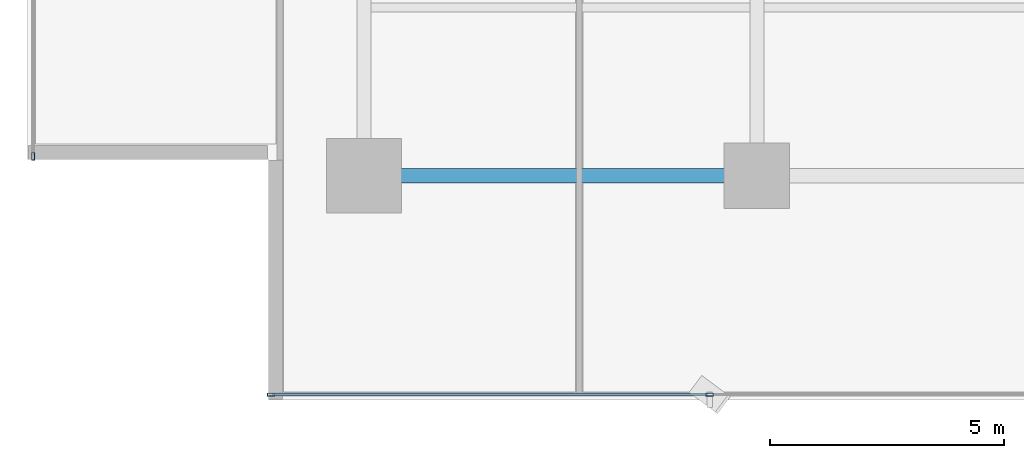
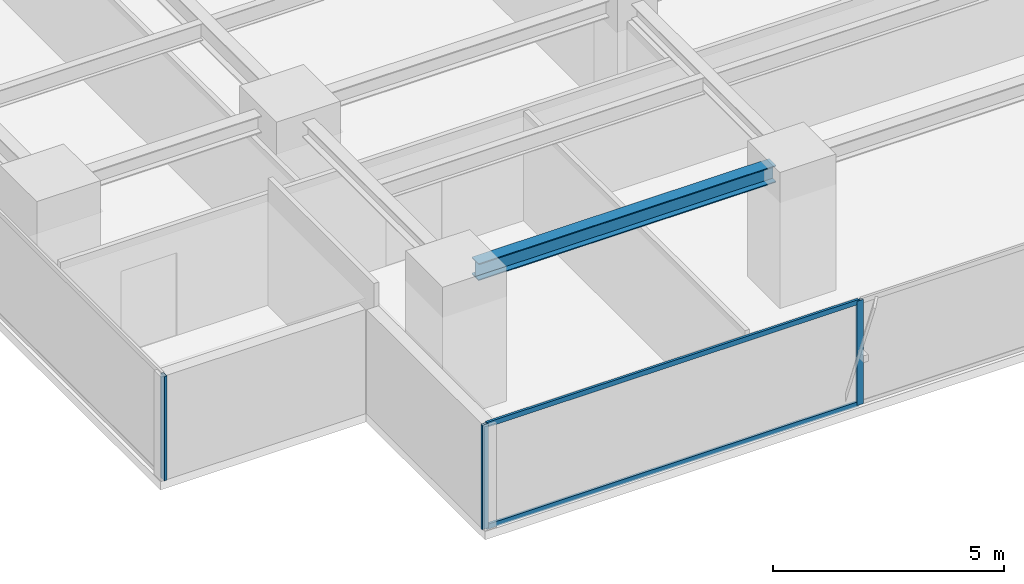
# One storey, part 2 of 28: 5 members, 1 beam, 2 elements without a shape of their own.
"""IFC4 building model written with IfcOpenShell, lengths in metres."""

from ifc_helpers import new_model, si_unit, direction, frame, origin, origin_2d, place, context, subcontext, project, spatial, hollow_rectangle, i_section, extrude, source, transform, mapped, material, layer, layer_set, material_profile, profile_set, type_object, element, aggregate, save


model = new_model("IFC4")

# Units and contexts
model_context = context("Model", 3, precision=1e-05, world=origin(), true_north=direction((0.0, 1.0)))
body_context = subcontext(model_context, "Body", "Model", "MODEL_VIEW")
ifc_project = project(units=[si_unit("LENGTHUNIT", "METRE"), si_unit("AREAUNIT", "SQUARE_METRE"), si_unit("VOLUMEUNIT", "CUBIC_METRE"), si_unit("PLANEANGLEUNIT", "RADIAN"), si_unit("MASSUNIT", "GRAM", prefix="KILO")], contexts=[model_context])

# Site, building, storey
site_placement = place(None, origin())
site = spatial("IfcSite", under=ifc_project, at=site_placement, CompositionType="ELEMENT")
building_placement = place(site_placement, origin())
building = spatial("IfcBuilding", under=site, at=building_placement, Name="Sumidabori Civic Tower", CompositionType="ELEMENT")
storey_placement = place(building_placement, frame((0.0, 0.0, 182.0)))
storey = spatial("IfcBuildingStorey", under=building, at=storey_placement, Name="L47", CompositionType="ELEMENT", Elevation=182.0)

# Beam
ifc_material_1 = material(Name="Steel SN490", Category="steel")
ifc_material_profile_1 = material_profile(ifc_material_1, i_section(OverallWidth=0.300048828125, OverallDepth=0.449951171875, WebThickness=0.013916015625, FlangeThickness=0.02587890625, at=origin_2d()), Name="HE 450 B")
ifc_profile_set_1 = profile_set([ifc_material_profile_1], Name="Steel SN490")
beam_type = type_object("IfcBeamType", Name="BM-GIRD-450", PredefinedType="BEAM", material=ifc_profile_set_1)
shared_shape_1 = source(origin(), body_context, "Body", "SweptSolid", [
    extrude(i_section(OverallWidth=0.300048828125, OverallDepth=0.449951171875, WebThickness=0.013916015625, FlangeThickness=0.02587890625, at=origin_2d()), origin(), (0.0, 0.0, 1.0), 7.440185546875),
])
beam_placement = place(storey_placement, frame((-16.320068359375, -18.0, 3.155029296875), z_axis=(1.0, 0.0, 0.0), x_axis=(0.0, 1.0, 0.0)))
element("IfcBeam", 1, at=beam_placement, inside=storey, type_object=beam_type, Name="Primary Girder L47 GX-01", PredefinedType="BEAM", context=body_context, shape_type="MappedRepresentation", body=[
    mapped(shared_shape_1, transform((0.0, 0.0, 0.0), x_axis=(1.0, 0.0, 0.0), y_axis=(0.0, 1.0, 0.0), z_axis=(0.0, 0.0, 1.0), scale=1.0)),
])

# Curtain wall, members
ifc_material_2 = material(Name="Anodised Bronze Aluminium AW-6063-T6", Category="aluminium")
ifc_layer = layer(ifc_material_2, 0.179931640625, Name="Anodised Bronze Aluminium AW-6063-T6")
ifc_layer_set = layer_set([ifc_layer], Name="Anodised Bronze Aluminium AW-6063-T6")
curtain_wall_type = type_object("IfcCurtainWallType", Name="CW-SYS-3", PredefinedType="NOTDEFINED", material=ifc_layer_set)
curtain_wall_1_placement = place(storey_placement, origin())
curtain_wall_1 = element("IfcCurtainWall", 2, at=curtain_wall_1_placement, inside=storey, type_object=curtain_wall_type, Name="Curtain Wall CW:L47:R01", PredefinedType="NOTDEFINED")
ifc_material_profile_2 = material_profile(ifc_material_2, hollow_rectangle(XDim=0.06494140625, YDim=0.159912109375, WallThickness=0.0048828125, at=origin_2d()), Name="ALU MULLION 160x65")
ifc_profile_set_2 = profile_set([ifc_material_profile_2], Name="Anodised Bronze Aluminium AW-6063-T6")
member_type_1 = type_object("IfcMemberType", Name="CW-MUL-160", PredefinedType="MULLION", material=ifc_profile_set_2)
shared_shape_2 = source(origin(), body_context, "Body", "SweptSolid", [
    extrude(hollow_rectangle(XDim=0.06494140625, YDim=0.159912109375, WallThickness=0.0048828125, at=origin_2d()), origin(), (0.0, 0.0, 1.0), 2.760009765625),
])
member_1_placement = place(storey_placement, frame((-18.78759765625, -22.679931640625, 0.0), z_axis=(0.0, 0.0, 1.0), x_axis=(0.0, 1.0, 0.0)))
member_1 = element("IfcMember", 3, at=member_1_placement, type_object=member_type_1, Name="CW-3 mullion 1", PredefinedType="MULLION", context=body_context, shape_type="MappedRepresentation", body=[
    mapped(shared_shape_2, transform((0.0, 0.0, 0.0), x_axis=(1.0, 0.0, 0.0), y_axis=(0.0, 1.0, 0.0), z_axis=(0.0, 0.0, 1.0), scale=1.0)),
])
member_2_placement = place(storey_placement, frame((-9.409912109375, -22.679931640625, 0.0), z_axis=(0.0, 0.0, 1.0), x_axis=(0.0, 1.0, 0.0)))
member_2 = element("IfcMember", 4, at=member_2_placement, type_object=member_type_1, Name="CW-3 mullion 2", PredefinedType="MULLION", context=body_context, shape_type="MappedRepresentation", body=[
    mapped(shared_shape_2, transform((0.0, 0.0, 0.0), x_axis=(1.0, 0.0, 0.0), y_axis=(0.0, 1.0, 0.0), z_axis=(0.0, 0.0, 1.0), scale=1.0)),
])

# Curtain wall, member
curtain_wall_2_placement = place(storey_placement, origin())
curtain_wall_2 = element("IfcCurtainWall", 5, at=curtain_wall_2_placement, inside=storey, type_object=curtain_wall_type, Name="Curtain Wall CW:L47:R10", PredefinedType="NOTDEFINED")
member_3_placement = place(storey_placement, frame((-23.8798828125, -17.58740234375, 0.0), z_axis=(0.0, 0.0, 1.0), x_axis=(1.0, 0.0, 0.0)))
member_3 = element("IfcMember", 6, at=member_3_placement, type_object=member_type_1, Name="CW-3 mullion 5", PredefinedType="MULLION", context=body_context, shape_type="MappedRepresentation", body=[
    mapped(shared_shape_2, transform((0.0, 0.0, 0.0), x_axis=(1.0, 0.0, 0.0), y_axis=(0.0, 1.0, 0.0), z_axis=(0.0, 0.0, 1.0), scale=1.0)),
])
aggregate(curtain_wall_2, [member_3])

# Member
ifc_material_profile_3 = material_profile(ifc_material_2, hollow_rectangle(XDim=0.06005859375, YDim=0.1298828125, WallThickness=0.0048828125, at=origin_2d()), Name="ALU TRANSOM 130x60")
ifc_profile_set_3 = profile_set([ifc_material_profile_3], Name="Anodised Bronze Aluminium AW-6063-T6")
member_type_2 = type_object("IfcMemberType", Name="CW-TRN-130", PredefinedType="USERDEFINED", material=ifc_profile_set_3)
shared_shape_3 = source(origin(), body_context, "Body", "SweptSolid", [
    extrude(hollow_rectangle(XDim=0.06005859375, YDim=0.1298828125, WallThickness=0.0048828125, at=origin_2d()), origin(), (0.0, 0.0, 1.0), 9.3125),
])
member_4_placement = place(storey_placement, frame((-18.7548828125, -22.679931640625, 0.030029296875), z_axis=(1.0, 0.0, 0.0), x_axis=(0.0, 1.0, 0.0)))
member_4 = element("IfcMember", 7, at=member_4_placement, type_object=member_type_2, Name="CW-3 transom 1.1", ObjectType="TRANSOM", PredefinedType="USERDEFINED", context=body_context, shape_type="MappedRepresentation", body=[
    mapped(shared_shape_3, transform((0.0, 0.0, 0.0), x_axis=(1.0, 0.0, 0.0), y_axis=(0.0, 1.0, 0.0), z_axis=(0.0, 0.0, 1.0), scale=1.0)),
])

member_5_placement = place(storey_placement, frame((-18.7548828125, -22.679931640625, 2.72998046875), z_axis=(1.0, 0.0, 0.0), x_axis=(0.0, 1.0, 0.0)))
member_5 = element("IfcMember", 8, at=member_5_placement, type_object=member_type_2, Name="CW-3 transom 1.2", ObjectType="TRANSOM", PredefinedType="USERDEFINED", context=body_context, shape_type="MappedRepresentation", body=[
    mapped(shared_shape_3, transform((0.0, 0.0, 0.0), x_axis=(1.0, 0.0, 0.0), y_axis=(0.0, 1.0, 0.0), z_axis=(0.0, 0.0, 1.0), scale=1.0)),
])

aggregate(curtain_wall_1, [member_1, member_2, member_4, member_5])

save(model, "model.ifc")
